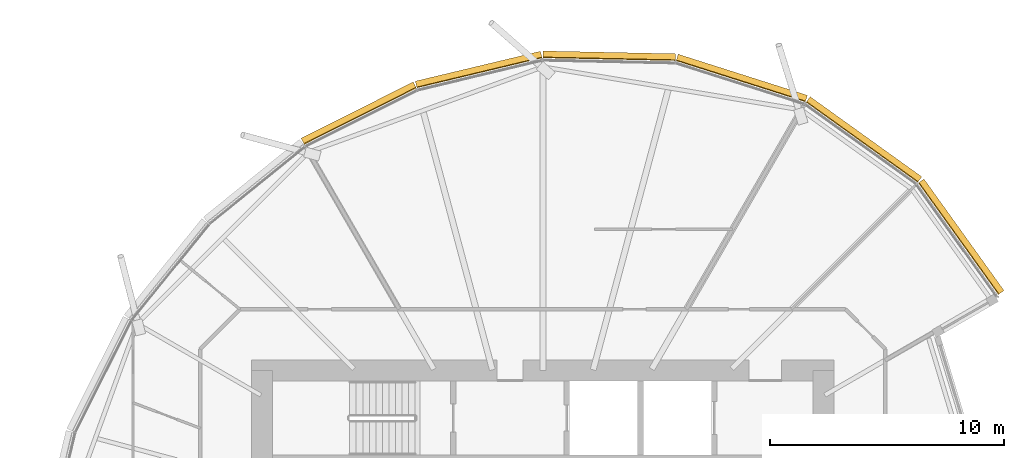
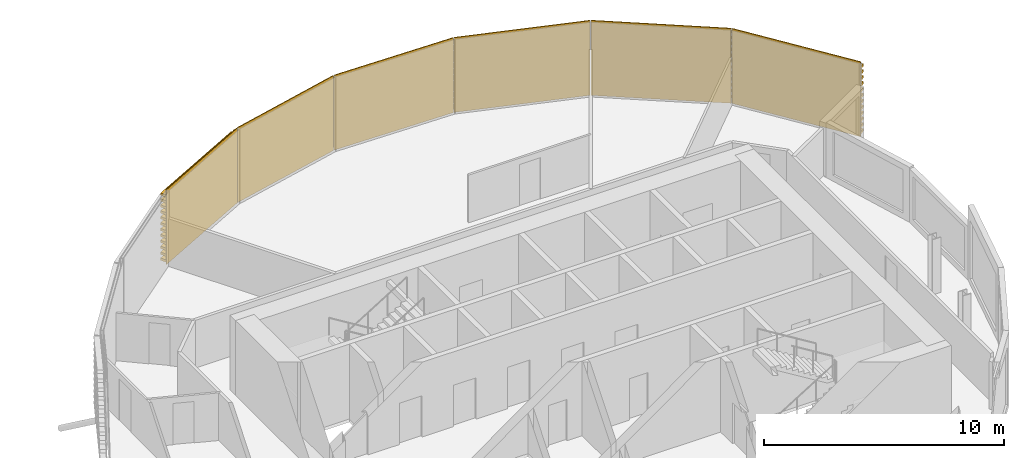
# One storey, part 38 of 38: 6 coverings.
"""IFC4 building model written with IfcOpenShell, lengths in metres."""

from ifc_helpers import new_model, si_unit, direction, frame, origin, place, context, subcontext, project, spatial, polyline, outline, extrude, material, material_profile, profile_set, type_object, element, save


model = new_model("IFC4")

# Units and contexts
model_context = context("Model", 3, precision=1e-05, world=origin(), true_north=direction((0.0, 1.0)))
body_context = subcontext(model_context, "Body", "Model", "MODEL_VIEW")
ifc_project = project(units=[si_unit("LENGTHUNIT", "METRE"), si_unit("AREAUNIT", "SQUARE_METRE"), si_unit("VOLUMEUNIT", "CUBIC_METRE"), si_unit("PLANEANGLEUNIT", "RADIAN"), si_unit("MASSUNIT", "GRAM", prefix="KILO")], contexts=[model_context])

# Site, building, storey
site_placement = place(None, origin())
site = spatial("IfcSite", under=ifc_project, at=site_placement, CompositionType="ELEMENT")
building_placement = place(site_placement, origin())
building = spatial("IfcBuilding", under=site, at=building_placement, Name="Rimbun Link Towers", CompositionType="ELEMENT")
storey_placement = place(building_placement, frame((0.0, 0.0, 49.0)))
storey = spatial("IfcBuildingStorey", under=building, at=storey_placement, Name="L11", CompositionType="ELEMENT", Elevation=49.0)

# Coverings
ifc_material = material(Name="Terracotta", Category="masonry")
ifc_material_profile = material_profile(ifc_material, outline(polyline([(0.123046875, 0.0), (0.1630859375, 0.0), (0.1630859375, 0.10009765625), (0.423095703125, 0.10009765625), (0.423095703125, 0.219970703125), (0.1630859375, 0.219970703125), (0.1630859375, 0.39990234375), (0.423095703125, 0.39990234375), (0.423095703125, 0.52001953125), (0.1630859375, 0.52001953125), (0.1630859375, 0.699951171875), (0.423095703125, 0.699951171875), (0.423095703125, 0.820068359375), (0.1630859375, 0.820068359375), (0.1630859375, 1.0), (0.423095703125, 1.0), (0.423095703125, 1.1201171875), (0.1630859375, 1.1201171875), (0.1630859375, 1.300048828125), (0.423095703125, 1.300048828125), (0.423095703125, 1.419921875), (0.1630859375, 1.419921875), (0.1630859375, 1.60009765625), (0.423095703125, 1.60009765625), (0.423095703125, 1.719970703125), (0.1630859375, 1.719970703125), (0.1630859375, 1.89990234375), (0.423095703125, 1.89990234375), (0.423095703125, 2.02001953125), (0.1630859375, 2.02001953125), (0.1630859375, 2.199951171875), (0.423095703125, 2.199951171875), (0.423095703125, 2.320068359375), (0.1630859375, 2.320068359375), (0.1630859375, 2.5), (0.423095703125, 2.5), (0.423095703125, 2.6201171875), (0.1630859375, 2.6201171875), (0.1630859375, 2.800048828125), (0.423095703125, 2.800048828125), (0.423095703125, 2.919921875), (0.1630859375, 2.919921875), (0.1630859375, 3.10009765625), (0.423095703125, 3.10009765625), (0.423095703125, 3.219970703125), (0.1630859375, 3.219970703125), (0.1630859375, 3.39990234375), (0.423095703125, 3.39990234375), (0.423095703125, 3.52001953125), (0.1630859375, 3.52001953125), (0.1630859375, 3.800048828125), (0.123046875, 3.800048828125), (0.123046875, 0.0)])), Name="BAGUETTE 120X300")
ifc_profile_set = profile_set([ifc_material_profile], Name="Terracotta")
covering_type = type_object("IfcCoveringType", Name="TERRACOTTA BAGUETTE 120X300 H3800", PredefinedType="CLADDING", material=ifc_profile_set)
covering_1_placement = place(storey_placement, frame((42.926025390625, 19.357421875, 0.0), z_axis=(0.812479505771, -0.582989753513, 0.0), x_axis=(0.582989753513, 0.812479505771, 0.0)))
element("IfcCovering", 1, at=covering_1_placement, inside=storey, type_object=covering_type, Name="TERRACOTTA BAGUETTE", PredefinedType="CLADDING", context=body_context, shape_type="SweptSolid", body=[
    extrude(outline(polyline([(0.123046875, 0.0), (0.1630859375, 0.0), (0.1630859375, 0.10009765625), (0.423095703125, 0.10009765625), (0.423095703125, 0.219970703125), (0.1630859375, 0.219970703125), (0.1630859375, 0.39990234375), (0.423095703125, 0.39990234375), (0.423095703125, 0.52001953125), (0.1630859375, 0.52001953125), (0.1630859375, 0.699951171875), (0.423095703125, 0.699951171875), (0.423095703125, 0.820068359375), (0.1630859375, 0.820068359375), (0.1630859375, 1.0), (0.423095703125, 1.0), (0.423095703125, 1.1201171875), (0.1630859375, 1.1201171875), (0.1630859375, 1.300048828125), (0.423095703125, 1.300048828125), (0.423095703125, 1.419921875), (0.1630859375, 1.419921875), (0.1630859375, 1.60009765625), (0.423095703125, 1.60009765625), (0.423095703125, 1.719970703125), (0.1630859375, 1.719970703125), (0.1630859375, 1.89990234375), (0.423095703125, 1.89990234375), (0.423095703125, 2.02001953125), (0.1630859375, 2.02001953125), (0.1630859375, 2.199951171875), (0.423095703125, 2.199951171875), (0.423095703125, 2.320068359375), (0.1630859375, 2.320068359375), (0.1630859375, 2.5), (0.423095703125, 2.5), (0.423095703125, 2.6201171875), (0.1630859375, 2.6201171875), (0.1630859375, 2.800048828125), (0.423095703125, 2.800048828125), (0.423095703125, 2.919921875), (0.1630859375, 2.919921875), (0.1630859375, 3.10009765625), (0.423095703125, 3.10009765625), (0.423095703125, 3.219970703125), (0.1630859375, 3.219970703125), (0.1630859375, 3.39990234375), (0.423095703125, 3.39990234375), (0.423095703125, 3.52001953125), (0.1630859375, 3.52001953125), (0.1630859375, 3.800048828125), (0.123046875, 3.800048828125), (0.123046875, 0.0)])), origin(), (0.0, 0.0, 1.0), 5.86279296875),
])
covering_2_placement = place(storey_placement, frame((37.406982421875, 21.11279296875, 0.0), z_axis=(0.952960099141, -0.303095776025, 0.0), x_axis=(0.303095776025, 0.952960099141, 0.0)))
element("IfcCovering", 2, at=covering_2_placement, inside=storey, type_object=covering_type, Name="TERRACOTTA BAGUETTE", PredefinedType="CLADDING", context=body_context, shape_type="SweptSolid", body=[
    extrude(outline(polyline([(0.123046875, 0.0), (0.1630859375, 0.0), (0.1630859375, 0.10009765625), (0.423095703125, 0.10009765625), (0.423095703125, 0.219970703125), (0.1630859375, 0.219970703125), (0.1630859375, 0.39990234375), (0.423095703125, 0.39990234375), (0.423095703125, 0.52001953125), (0.1630859375, 0.52001953125), (0.1630859375, 0.699951171875), (0.423095703125, 0.699951171875), (0.423095703125, 0.820068359375), (0.1630859375, 0.820068359375), (0.1630859375, 1.0), (0.423095703125, 1.0), (0.423095703125, 1.1201171875), (0.1630859375, 1.1201171875), (0.1630859375, 1.300048828125), (0.423095703125, 1.300048828125), (0.423095703125, 1.419921875), (0.1630859375, 1.419921875), (0.1630859375, 1.60009765625), (0.423095703125, 1.60009765625), (0.423095703125, 1.719970703125), (0.1630859375, 1.719970703125), (0.1630859375, 1.89990234375), (0.423095703125, 1.89990234375), (0.423095703125, 2.02001953125), (0.1630859375, 2.02001953125), (0.1630859375, 2.199951171875), (0.423095703125, 2.199951171875), (0.423095703125, 2.320068359375), (0.1630859375, 2.320068359375), (0.1630859375, 2.5), (0.423095703125, 2.5), (0.423095703125, 2.6201171875), (0.1630859375, 2.6201171875), (0.1630859375, 2.800048828125), (0.423095703125, 2.800048828125), (0.423095703125, 2.919921875), (0.1630859375, 2.919921875), (0.1630859375, 3.10009765625), (0.423095703125, 3.10009765625), (0.423095703125, 3.219970703125), (0.1630859375, 3.219970703125), (0.1630859375, 3.39990234375), (0.423095703125, 3.39990234375), (0.423095703125, 3.52001953125), (0.1630859375, 3.52001953125), (0.1630859375, 3.800048828125), (0.123046875, 3.800048828125), (0.123046875, 0.0)])), origin(), (0.0, 0.0, 1.0), 5.79150390625),
])
covering_3_placement = place(storey_placement, frame((31.75, 21.23193359375, 0.0), z_axis=(0.999778294919, -0.021056139481, 0.0), x_axis=(0.021056139481, 0.999778294919, 0.0)))
element("IfcCovering", 3, at=covering_3_placement, inside=storey, type_object=covering_type, Name="TERRACOTTA BAGUETTE", PredefinedType="CLADDING", context=body_context, shape_type="SweptSolid", body=[
    extrude(outline(polyline([(0.123046875, 0.0), (0.1630859375, 0.0), (0.1630859375, 0.10009765625), (0.423095703125, 0.10009765625), (0.423095703125, 0.219970703125), (0.1630859375, 0.219970703125), (0.1630859375, 0.39990234375), (0.423095703125, 0.39990234375), (0.423095703125, 0.52001953125), (0.1630859375, 0.52001953125), (0.1630859375, 0.699951171875), (0.423095703125, 0.699951171875), (0.423095703125, 0.820068359375), (0.1630859375, 0.820068359375), (0.1630859375, 1.0), (0.423095703125, 1.0), (0.423095703125, 1.1201171875), (0.1630859375, 1.1201171875), (0.1630859375, 1.300048828125), (0.423095703125, 1.300048828125), (0.423095703125, 1.419921875), (0.1630859375, 1.419921875), (0.1630859375, 1.60009765625), (0.423095703125, 1.60009765625), (0.423095703125, 1.719970703125), (0.1630859375, 1.719970703125), (0.1630859375, 1.89990234375), (0.423095703125, 1.89990234375), (0.423095703125, 2.02001953125), (0.1630859375, 2.02001953125), (0.1630859375, 2.199951171875), (0.423095703125, 2.199951171875), (0.423095703125, 2.320068359375), (0.1630859375, 2.320068359375), (0.1630859375, 2.5), (0.423095703125, 2.5), (0.423095703125, 2.6201171875), (0.1630859375, 2.6201171875), (0.1630859375, 2.800048828125), (0.423095703125, 2.800048828125), (0.423095703125, 2.919921875), (0.1630859375, 2.919921875), (0.1630859375, 3.10009765625), (0.423095703125, 3.10009765625), (0.423095703125, 3.219970703125), (0.1630859375, 3.219970703125), (0.1630859375, 3.39990234375), (0.423095703125, 3.39990234375), (0.423095703125, 3.52001953125), (0.1630859375, 3.52001953125), (0.1630859375, 3.800048828125), (0.123046875, 3.800048828125), (0.123046875, 0.0)])), origin(), (0.0, 0.0, 1.0), 5.658203125),
])
covering_4_placement = place(storey_placement, frame((26.403564453125, 19.953125, 0.0), z_axis=(0.972566005486, 0.232627094239, 0.0), x_axis=(-0.232627094239, 0.972566005486, 0.0)))
element("IfcCovering", 4, at=covering_4_placement, inside=storey, type_object=covering_type, Name="TERRACOTTA BAGUETTE", PredefinedType="CLADDING", context=body_context, shape_type="SweptSolid", body=[
    extrude(outline(polyline([(0.123046875, 0.0), (0.1630859375, 0.0), (0.1630859375, 0.10009765625), (0.423095703125, 0.10009765625), (0.423095703125, 0.219970703125), (0.1630859375, 0.219970703125), (0.1630859375, 0.39990234375), (0.423095703125, 0.39990234375), (0.423095703125, 0.52001953125), (0.1630859375, 0.52001953125), (0.1630859375, 0.699951171875), (0.423095703125, 0.699951171875), (0.423095703125, 0.820068359375), (0.1630859375, 0.820068359375), (0.1630859375, 1.0), (0.423095703125, 1.0), (0.423095703125, 1.1201171875), (0.1630859375, 1.1201171875), (0.1630859375, 1.300048828125), (0.423095703125, 1.300048828125), (0.423095703125, 1.419921875), (0.1630859375, 1.419921875), (0.1630859375, 1.60009765625), (0.423095703125, 1.60009765625), (0.423095703125, 1.719970703125), (0.1630859375, 1.719970703125), (0.1630859375, 1.89990234375), (0.423095703125, 1.89990234375), (0.423095703125, 2.02001953125), (0.1630859375, 2.02001953125), (0.1630859375, 2.199951171875), (0.423095703125, 2.199951171875), (0.423095703125, 2.320068359375), (0.1630859375, 2.320068359375), (0.1630859375, 2.5), (0.423095703125, 2.5), (0.423095703125, 2.6201171875), (0.1630859375, 2.6201171875), (0.1630859375, 2.800048828125), (0.423095703125, 2.800048828125), (0.423095703125, 2.919921875), (0.1630859375, 2.919921875), (0.1630859375, 3.10009765625), (0.423095703125, 3.10009765625), (0.423095703125, 3.219970703125), (0.1630859375, 3.219970703125), (0.1630859375, 3.39990234375), (0.423095703125, 3.39990234375), (0.423095703125, 3.52001953125), (0.1630859375, 3.52001953125), (0.1630859375, 3.800048828125), (0.123046875, 3.800048828125), (0.123046875, 0.0)])), origin(), (0.0, 0.0, 1.0), 5.497314453125),
])
covering_5_placement = place(storey_placement, frame((21.61767578125, 17.5498046875, 0.0), z_axis=(0.893650861288, 0.44876289744, 0.0), x_axis=(-0.44876289744, 0.893650861288, 0.0)))
element("IfcCovering", 5, at=covering_5_placement, inside=storey, type_object=covering_type, Name="TERRACOTTA BAGUETTE", PredefinedType="CLADDING", context=body_context, shape_type="SweptSolid", body=[
    extrude(outline(polyline([(0.123046875, 0.0), (0.1630859375, 0.0), (0.1630859375, 0.10009765625), (0.423095703125, 0.10009765625), (0.423095703125, 0.219970703125), (0.1630859375, 0.219970703125), (0.1630859375, 0.39990234375), (0.423095703125, 0.39990234375), (0.423095703125, 0.52001953125), (0.1630859375, 0.52001953125), (0.1630859375, 0.699951171875), (0.423095703125, 0.699951171875), (0.423095703125, 0.820068359375), (0.1630859375, 0.820068359375), (0.1630859375, 1.0), (0.423095703125, 1.0), (0.423095703125, 1.1201171875), (0.1630859375, 1.1201171875), (0.1630859375, 1.300048828125), (0.423095703125, 1.300048828125), (0.423095703125, 1.419921875), (0.1630859375, 1.419921875), (0.1630859375, 1.60009765625), (0.423095703125, 1.60009765625), (0.423095703125, 1.719970703125), (0.1630859375, 1.719970703125), (0.1630859375, 1.89990234375), (0.423095703125, 1.89990234375), (0.423095703125, 2.02001953125), (0.1630859375, 2.02001953125), (0.1630859375, 2.199951171875), (0.423095703125, 2.199951171875), (0.423095703125, 2.320068359375), (0.1630859375, 2.320068359375), (0.1630859375, 2.5), (0.423095703125, 2.5), (0.423095703125, 2.6201171875), (0.1630859375, 2.6201171875), (0.1630859375, 2.800048828125), (0.423095703125, 2.800048828125), (0.423095703125, 2.919921875), (0.1630859375, 2.919921875), (0.1630859375, 3.10009765625), (0.423095703125, 3.10009765625), (0.423095703125, 3.219970703125), (0.1630859375, 3.219970703125), (0.1630859375, 3.39990234375), (0.423095703125, 3.39990234375), (0.423095703125, 3.52001953125), (0.1630859375, 3.52001953125), (0.1630859375, 3.800048828125), (0.123046875, 3.800048828125), (0.123046875, 0.0)])), origin(), (0.0, 0.0, 1.0), 5.35546875),
])
covering_6_placement = place(storey_placement, frame((47.689453125, 15.939453125, 0.0), z_axis=(0.582989753513, -0.812479505771, 0.0), x_axis=(0.812479505771, 0.582989753513, 0.0)))
element("IfcCovering", 6, at=covering_6_placement, inside=storey, type_object=covering_type, Name="TERRACOTTA BAGUETTE", PredefinedType="CLADDING", context=body_context, shape_type="SweptSolid", body=[
    extrude(outline(polyline([(0.123046875, 0.0), (0.1630859375, 0.0), (0.1630859375, 0.10009765625), (0.423095703125, 0.10009765625), (0.423095703125, 0.219970703125), (0.1630859375, 0.219970703125), (0.1630859375, 0.39990234375), (0.423095703125, 0.39990234375), (0.423095703125, 0.52001953125), (0.1630859375, 0.52001953125), (0.1630859375, 0.699951171875), (0.423095703125, 0.699951171875), (0.423095703125, 0.820068359375), (0.1630859375, 0.820068359375), (0.1630859375, 1.0), (0.423095703125, 1.0), (0.423095703125, 1.1201171875), (0.1630859375, 1.1201171875), (0.1630859375, 1.300048828125), (0.423095703125, 1.300048828125), (0.423095703125, 1.419921875), (0.1630859375, 1.419921875), (0.1630859375, 1.60009765625), (0.423095703125, 1.60009765625), (0.423095703125, 1.719970703125), (0.1630859375, 1.719970703125), (0.1630859375, 1.89990234375), (0.423095703125, 1.89990234375), (0.423095703125, 2.02001953125), (0.1630859375, 2.02001953125), (0.1630859375, 2.199951171875), (0.423095703125, 2.199951171875), (0.423095703125, 2.320068359375), (0.1630859375, 2.320068359375), (0.1630859375, 2.5), (0.423095703125, 2.5), (0.423095703125, 2.6201171875), (0.1630859375, 2.6201171875), (0.1630859375, 2.800048828125), (0.423095703125, 2.800048828125), (0.423095703125, 2.919921875), (0.1630859375, 2.919921875), (0.1630859375, 3.10009765625), (0.423095703125, 3.10009765625), (0.423095703125, 3.219970703125), (0.1630859375, 3.219970703125), (0.1630859375, 3.39990234375), (0.423095703125, 3.39990234375), (0.423095703125, 3.52001953125), (0.1630859375, 3.52001953125), (0.1630859375, 3.800048828125), (0.123046875, 3.800048828125), (0.123046875, 0.0)])), origin(), (0.0, 0.0, 1.0), 5.86279296875),
])

save(model, "model.ifc")
